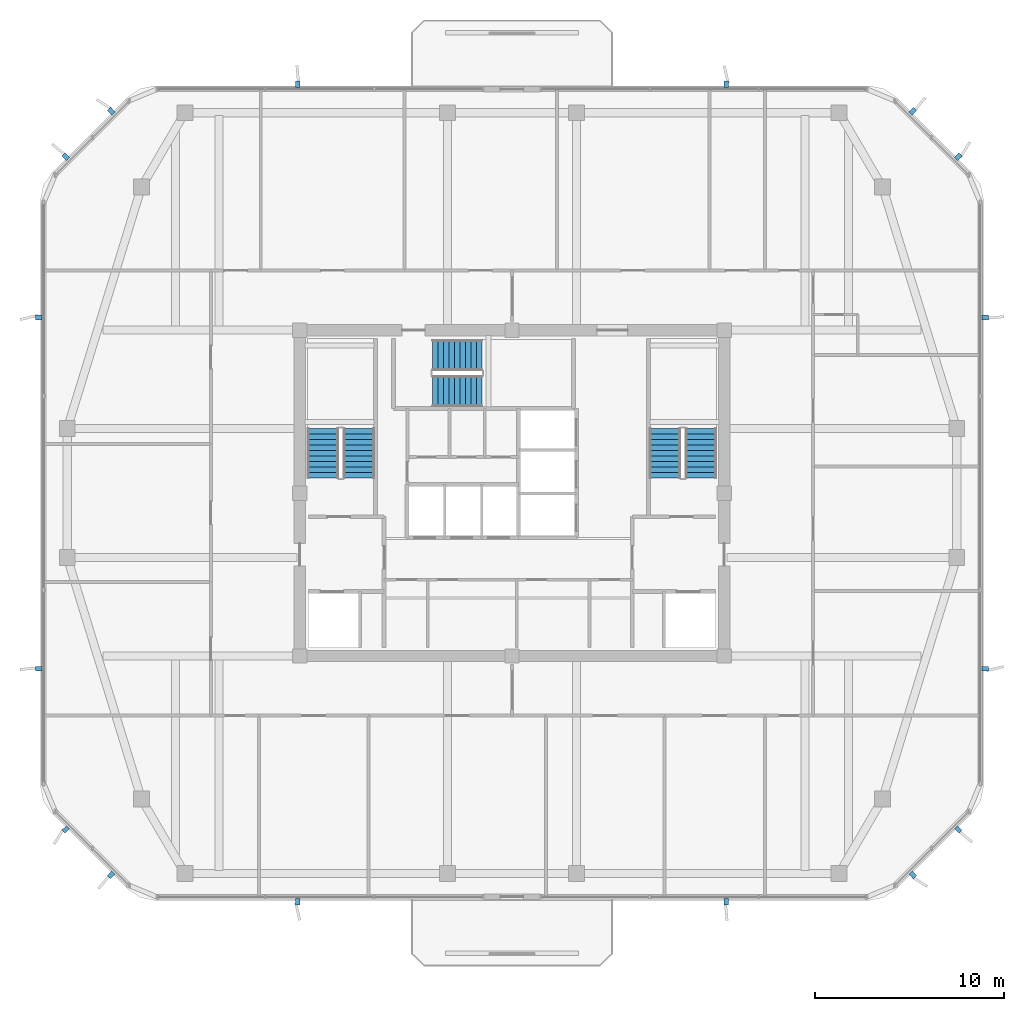
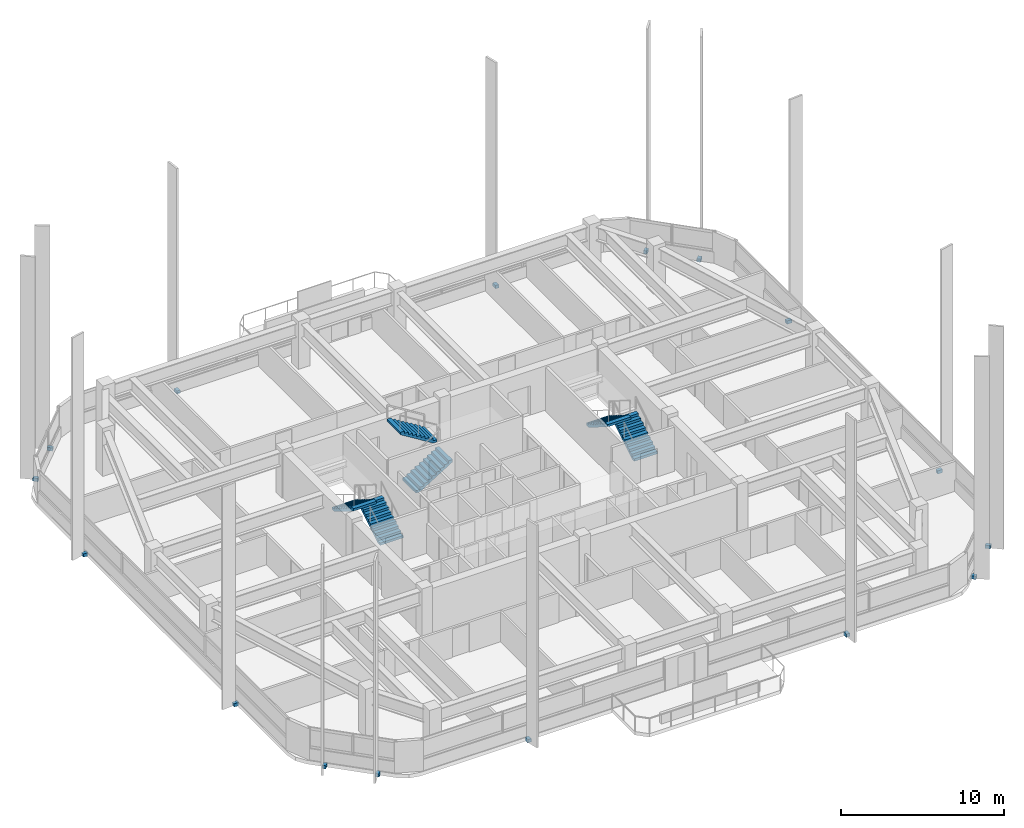
# One storey, part 10 of 13: 16 discrete accessories, 6 stair flights, 3 elements without a shape of their own.
"""IFC4 building model written with IfcOpenShell, lengths in metres."""

from ifc_helpers import new_model, si_unit, derived_unit, direction, frame, origin, origin_2d, place, context, subcontext, project, spatial, polyline, rectangle, outline, extrude, material, type_object, element, aggregate, save


model = new_model("IFC4")

# Units and contexts
model_context = context("Model", 3, precision=1e-05, world=origin(), true_north=direction((0.0, 1.0)))
body_context = subcontext(model_context, "Body", "Model", "MODEL_VIEW")
ifc_project = project(units=[si_unit("LENGTHUNIT", "METRE"), si_unit("AREAUNIT", "SQUARE_METRE"), si_unit("VOLUMEUNIT", "CUBIC_METRE"), si_unit("PLANEANGLEUNIT", "RADIAN"), si_unit("MASSUNIT", "GRAM", prefix="KILO"), derived_unit("THERMALTRANSMITTANCEUNIT", [(si_unit("POWERUNIT", "WATT"), 1), (si_unit("LENGTHUNIT", "METRE"), -2), (si_unit("THERMODYNAMICTEMPERATUREUNIT", "KELVIN"), -1)])], contexts=[model_context])

# Site, building, storey
site_placement = place(None, origin())
site = spatial("IfcSite", under=ifc_project, at=site_placement, CompositionType="ELEMENT")
building_placement = place(site_placement, origin())
building = spatial("IfcBuilding", under=site, at=building_placement, Name="Koralith Skygarden Medical Center", CompositionType="ELEMENT")
storey_placement = place(building_placement, frame((0.0, 0.0, 282.419921875)))
storey = spatial("IfcBuildingStorey", under=building, at=storey_placement, Name="L73", CompositionType="ELEMENT", Elevation=282.419921875)

# Stair, stair flights
ifc_material_1 = material(Name="Concrete C45/55", Category="concrete")
stair_type = type_object("IfcStairType", Name="Core Exit Dogleg Concrete Stair", PredefinedType="HALF_TURN_STAIR", material=ifc_material_1)
stair_1_placement = place(storey_placement, origin())
stair_1 = element("IfcStair", 1, at=stair_1_placement, inside=storey, type_object=stair_type, Name="L73 Smokeproof Exit Stair ST1", PredefinedType="HALF_TURN_STAIR")
stair_flight_type = type_object("IfcStairFlightType", Name="Core Exit Concrete Stair Flight 1650", PredefinedType="STRAIGHT", material=ifc_material_1)
stair_flight_1_placement = place(storey_placement, frame((28.925048828125, 26.699951171875, 0.0), z_axis=(0.0, 0.0, 1.0), x_axis=(0.0, 1.0, 0.0)))
stair_flight_1 = element("IfcStairFlight", 2, at=stair_flight_1_placement, type_object=stair_flight_type, Name="ST1 flight 1", NumberOfRisers=10, NumberOfTreads=9, PredefinedType="STRAIGHT", RiserHeight=0.18, TreadLength=0.29, context=body_context, shape_type="SweptSolid", body=[
    extrude(outline(polyline([(0.0, 0.0), (0.0, 0.179931640625), (0.2900390625, 0.179931640625), (0.2900390625, 0.360107421875), (0.580078125, 0.360107421875), (0.580078125, 0.5400390625), (0.8701171875, 0.5400390625), (0.8701171875, 0.719970703125), (1.159912109375, 0.719970703125), (1.159912109375, 0.89990234375), (1.449951171875, 0.89990234375), (1.449951171875, 1.080078125), (1.739990234375, 1.080078125), (1.739990234375, 1.260009765625), (2.030029296875, 1.260009765625), (2.030029296875, 1.43994140625), (2.320068359375, 1.43994140625), (2.320068359375, 1.6201171875), (2.610107421875, 1.6201171875), (2.610107421875, 1.800048828125), (2.610107421875, 1.443603515625), (0.2841796875, 0.0), (0.0, 0.0)])), frame((0.0, 0.824951171875, 0.0), z_axis=(0.0, -1.0, 0.0), x_axis=(1.0, 0.0, 0.0)), (0.0, 0.0, 1.0), 1.64990234375),
])
stair_flight_2_placement = place(storey_placement, frame((27.02490234375, 29.31005859375, 1.800048828125), z_axis=(0.0, 0.0, 1.0), x_axis=(0.0, -1.0, 0.0)))
stair_flight_2 = element("IfcStairFlight", 3, at=stair_flight_2_placement, type_object=stair_flight_type, Name="ST1 flight 2", NumberOfRisers=10, NumberOfTreads=9, PredefinedType="STRAIGHT", RiserHeight=0.18, TreadLength=0.29, context=body_context, shape_type="SweptSolid", body=[
    extrude(outline(polyline([(0.0, 0.0), (0.0, 0.179931640625), (0.2900390625, 0.179931640625), (0.2900390625, 0.360107421875), (0.580078125, 0.360107421875), (0.580078125, 0.5400390625), (0.8701171875, 0.5400390625), (0.8701171875, 0.719970703125), (1.159912109375, 0.719970703125), (1.159912109375, 0.89990234375), (1.449951171875, 0.89990234375), (1.449951171875, 1.080078125), (1.739990234375, 1.080078125), (1.739990234375, 1.260009765625), (2.030029296875, 1.260009765625), (2.030029296875, 1.43994140625), (2.320068359375, 1.43994140625), (2.320068359375, 1.6201171875), (2.610107421875, 1.6201171875), (2.610107421875, 1.800048828125), (2.610107421875, 1.443603515625), (0.2841796875, 0.0), (0.0, 0.0)])), frame((0.0, 0.824951171875, 0.0), z_axis=(0.0, -1.0, 0.0), x_axis=(1.0, 0.0, 0.0)), (0.0, 0.0, 1.0), 1.64990234375),
])
aggregate(stair_1, [stair_flight_1, stair_flight_2])

stair_2_placement = place(storey_placement, origin())
stair_2 = element("IfcStair", 4, at=stair_2_placement, inside=storey, type_object=stair_type, Name="L73 Smokeproof Exit Stair ST2", PredefinedType="HALF_TURN_STAIR")
stair_flight_3_placement = place(storey_placement, frame((46.97509765625, 26.699951171875, 0.0), z_axis=(0.0, 0.0, 1.0), x_axis=(0.0, 1.0, 0.0)))
stair_flight_3 = element("IfcStairFlight", 5, at=stair_flight_3_placement, type_object=stair_flight_type, Name="ST2 flight 1", NumberOfRisers=10, NumberOfTreads=9, PredefinedType="STRAIGHT", RiserHeight=0.18, TreadLength=0.29, context=body_context, shape_type="SweptSolid", body=[
    extrude(outline(polyline([(0.0, 0.0), (0.0, 0.179931640625), (0.2900390625, 0.179931640625), (0.2900390625, 0.360107421875), (0.580078125, 0.360107421875), (0.580078125, 0.5400390625), (0.8701171875, 0.5400390625), (0.8701171875, 0.719970703125), (1.159912109375, 0.719970703125), (1.159912109375, 0.89990234375), (1.449951171875, 0.89990234375), (1.449951171875, 1.080078125), (1.739990234375, 1.080078125), (1.739990234375, 1.260009765625), (2.030029296875, 1.260009765625), (2.030029296875, 1.43994140625), (2.320068359375, 1.43994140625), (2.320068359375, 1.6201171875), (2.610107421875, 1.6201171875), (2.610107421875, 1.800048828125), (2.610107421875, 1.443603515625), (0.2841796875, 0.0), (0.0, 0.0)])), frame((0.0, 0.824951171875, 0.0), z_axis=(0.0, -1.0, 0.0), x_axis=(1.0, 0.0, 0.0)), (0.0, 0.0, 1.0), 1.64990234375),
])
stair_flight_4_placement = place(storey_placement, frame((45.074951171875, 29.31005859375, 1.800048828125), z_axis=(0.0, 0.0, 1.0), x_axis=(0.0, -1.0, 0.0)))
stair_flight_4 = element("IfcStairFlight", 6, at=stair_flight_4_placement, type_object=stair_flight_type, Name="ST2 flight 2", NumberOfRisers=10, NumberOfTreads=9, PredefinedType="STRAIGHT", RiserHeight=0.18, TreadLength=0.29, context=body_context, shape_type="SweptSolid", body=[
    extrude(outline(polyline([(0.0, 0.0), (0.0, 0.179931640625), (0.2900390625, 0.179931640625), (0.2900390625, 0.360107421875), (0.580078125, 0.360107421875), (0.580078125, 0.5400390625), (0.8701171875, 0.5400390625), (0.8701171875, 0.719970703125), (1.159912109375, 0.719970703125), (1.159912109375, 0.89990234375), (1.449951171875, 0.89990234375), (1.449951171875, 1.080078125), (1.739990234375, 1.080078125), (1.739990234375, 1.260009765625), (2.030029296875, 1.260009765625), (2.030029296875, 1.43994140625), (2.320068359375, 1.43994140625), (2.320068359375, 1.6201171875), (2.610107421875, 1.6201171875), (2.610107421875, 1.800048828125), (2.610107421875, 1.443603515625), (0.2841796875, 0.0), (0.0, 0.0)])), frame((0.0, 0.824951171875, 0.0), z_axis=(0.0, -1.0, 0.0), x_axis=(1.0, 0.0, 0.0)), (0.0, 0.0, 1.0), 1.64990234375),
])
aggregate(stair_2, [stair_flight_3, stair_flight_4])

stair_3_placement = place(storey_placement, origin())
stair_3 = element("IfcStair", 7, at=stair_3_placement, inside=storey, type_object=stair_type, Name="L73 Smokeproof Exit Stair ST3", PredefinedType="HALF_TURN_STAIR")
stair_flight_5_placement = place(storey_placement, frame((32.800048828125, 31.27490234375, 0.0), z_axis=(0.0, 0.0, 1.0), x_axis=(1.0, 0.0, 0.0)))
stair_flight_5 = element("IfcStairFlight", 8, at=stair_flight_5_placement, type_object=stair_flight_type, Name="ST3 flight 1", NumberOfRisers=10, NumberOfTreads=9, PredefinedType="STRAIGHT", RiserHeight=0.18, TreadLength=0.29, context=body_context, shape_type="SweptSolid", body=[
    extrude(outline(polyline([(0.0, 0.0), (0.0, 0.179931640625), (0.2900390625, 0.179931640625), (0.2900390625, 0.360107421875), (0.580078125, 0.360107421875), (0.580078125, 0.5400390625), (0.8701171875, 0.5400390625), (0.8701171875, 0.719970703125), (1.159912109375, 0.719970703125), (1.159912109375, 0.89990234375), (1.449951171875, 0.89990234375), (1.449951171875, 1.080078125), (1.739990234375, 1.080078125), (1.739990234375, 1.260009765625), (2.030029296875, 1.260009765625), (2.030029296875, 1.43994140625), (2.320068359375, 1.43994140625), (2.320068359375, 1.6201171875), (2.610107421875, 1.6201171875), (2.610107421875, 1.800048828125), (2.610107421875, 1.443603515625), (0.2841796875, 0.0), (0.0, 0.0)])), frame((0.0, 0.824951171875, 0.0), z_axis=(0.0, -1.0, 0.0), x_axis=(1.0, 0.0, 0.0)), (0.0, 0.0, 1.0), 1.64990234375),
])
stair_flight_6_placement = place(storey_placement, frame((35.409912109375, 33.175048828125, 1.800048828125), z_axis=(0.0, 0.0, 1.0), x_axis=(-1.0, 0.0, 0.0)))
stair_flight_6 = element("IfcStairFlight", 9, at=stair_flight_6_placement, type_object=stair_flight_type, Name="ST3 flight 2", NumberOfRisers=10, NumberOfTreads=9, PredefinedType="STRAIGHT", RiserHeight=0.18, TreadLength=0.29, context=body_context, shape_type="SweptSolid", body=[
    extrude(outline(polyline([(0.0, 0.0), (0.0, 0.179931640625), (0.2900390625, 0.179931640625), (0.2900390625, 0.360107421875), (0.580078125, 0.360107421875), (0.580078125, 0.5400390625), (0.8701171875, 0.5400390625), (0.8701171875, 0.719970703125), (1.159912109375, 0.719970703125), (1.159912109375, 0.89990234375), (1.449951171875, 0.89990234375), (1.449951171875, 1.080078125), (1.739990234375, 1.080078125), (1.739990234375, 1.260009765625), (2.030029296875, 1.260009765625), (2.030029296875, 1.43994140625), (2.320068359375, 1.43994140625), (2.320068359375, 1.6201171875), (2.610107421875, 1.6201171875), (2.610107421875, 1.800048828125), (2.610107421875, 1.443603515625), (0.2841796875, 0.0), (0.0, 0.0)])), frame((0.0, 0.824951171875, 0.0), z_axis=(0.0, -1.0, 0.0), x_axis=(1.0, 0.0, 0.0)), (0.0, 0.0, 1.0), 1.64990234375),
])
aggregate(stair_3, [stair_flight_5, stair_flight_6])

# Discrete accessories
ifc_material_2 = material(Name="Steel ASTM A572 Grade 50", Category="steel")
discrete_accessory_type = type_object("IfcDiscreteAccessoryType", Name="Facade Fin Structural Anchor Bracket", PredefinedType="BRACKET", material=ifc_material_2)
for number, where, z_axis, x_axis, name in (
    (10, (25.68994140625, 4.320068359375, -0.259765625), (0.0, 0.0, 1.0), (0.0, -1.0, 0.0), "L73 S Solar Fin Anchor Bracket 1"),
    (11, (48.31005859375, 4.320068359375, -0.259765625), (0.0, 0.0, 1.0), (0.0, -1.0, 0.0), "L73 S Solar Fin Anchor Bracket 2"),
    (12, (58.157958984375, 5.743896484375, -0.259765625), (0.0, 0.0, 1.0), (0.707106781187, -0.707106781187, 0.0), "L73 SE Solar Fin Anchor Bracket 1"),
    (13, (60.555908203125, 8.14208984375, -0.259765625), (0.0, 0.0, 1.0), (0.707106781187, -0.707106781187, 0.0), "L73 SE Solar Fin Anchor Bracket 2"),
    (14, (61.97998046875, 16.6298828125, -0.259765625), (0.0, 0.0, 1.0), (1.0, 0.0, 0.0), "L73 E Solar Fin Anchor Bracket 1"),
    (15, (61.97998046875, 35.169921875, -0.259765625), (0.0, 0.0, 1.0), (1.0, 0.0, 0.0), "L73 E Solar Fin Anchor Bracket 2"),
    (16, (60.555908203125, 43.657958984375, -0.259765625), (0.0, 0.0, 1.0), (0.707106781187, 0.707106781187, 0.0), "L73 NE Solar Fin Anchor Bracket 1"),
    (17, (58.157958984375, 46.055908203125, -0.259765625), (0.0, 0.0, 1.0), (0.707106781187, 0.707106781187, 0.0), "L73 NE Solar Fin Anchor Bracket 2"),
    (18, (48.31005859375, 47.47998046875, -0.259765625), (0.0, 0.0, 1.0), (0.0, 1.0, 0.0), "L73 N Solar Fin Anchor Bracket 1"),
    (19, (25.68994140625, 47.47998046875, -0.259765625), (0.0, 0.0, 1.0), (0.0, 1.0, 0.0), "L73 N Solar Fin Anchor Bracket 2"),
    (20, (15.842041015625, 46.055908203125, -0.259765625), (0.0, 0.0, 1.0), (-0.707106781187, 0.707106781187, 0.0), "L73 NW Solar Fin Anchor Bracket 1"),
    (21, (13.444091796875, 43.657958984375, -0.259765625), (0.0, 0.0, 1.0), (-0.707106781187, 0.707106781187, 0.0), "L73 NW Solar Fin Anchor Bracket 2"),
    (22, (12.02001953125, 35.169921875, -0.259765625), (0.0, 0.0, 1.0), (-1.0, 0.0, 0.0), "L73 W Solar Fin Anchor Bracket 1"),
    (23, (12.02001953125, 16.6298828125, -0.259765625), (0.0, 0.0, 1.0), (-1.0, 0.0, 0.0), "L73 W Solar Fin Anchor Bracket 2"),
    (24, (13.444091796875, 8.14208984375, -0.259765625), (0.0, 0.0, 1.0), (-0.707106781187, -0.707106781187, 0.0), "L73 SW Solar Fin Anchor Bracket 1"),
    (25, (15.842041015625, 5.743896484375, -0.259765625), (0.0, 0.0, 1.0), (-0.707106781187, -0.707106781187, 0.0), "L73 SW Solar Fin Anchor Bracket 2"),
):
    element("IfcDiscreteAccessory", number, at=place(storey_placement, frame(where, z_axis=z_axis, x_axis=x_axis)), inside=storey, type_object=discrete_accessory_type, Name=name, PredefinedType="BRACKET", context=body_context, shape_type="SweptSolid", body=[
        extrude(rectangle(XDim=0.340087890625, YDim=0.239990234375, at=origin_2d()), origin(), (0.0, 0.0, 1.0), 0.239990234375),
    ])

save(model, "model.ifc")
